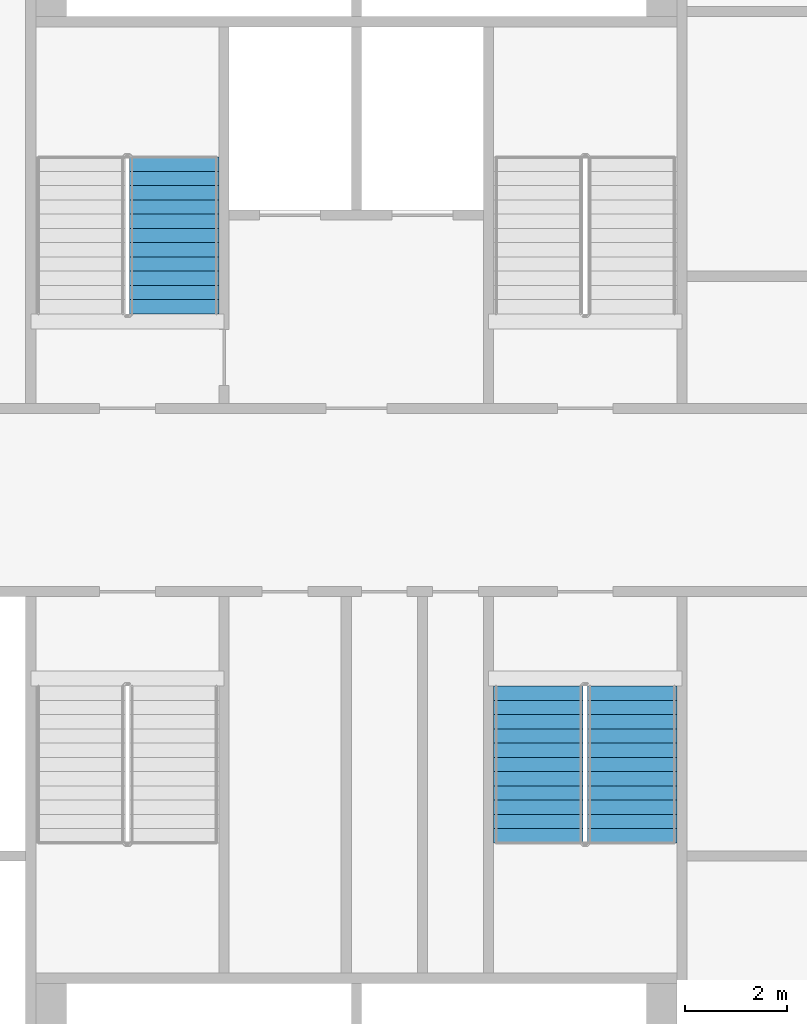
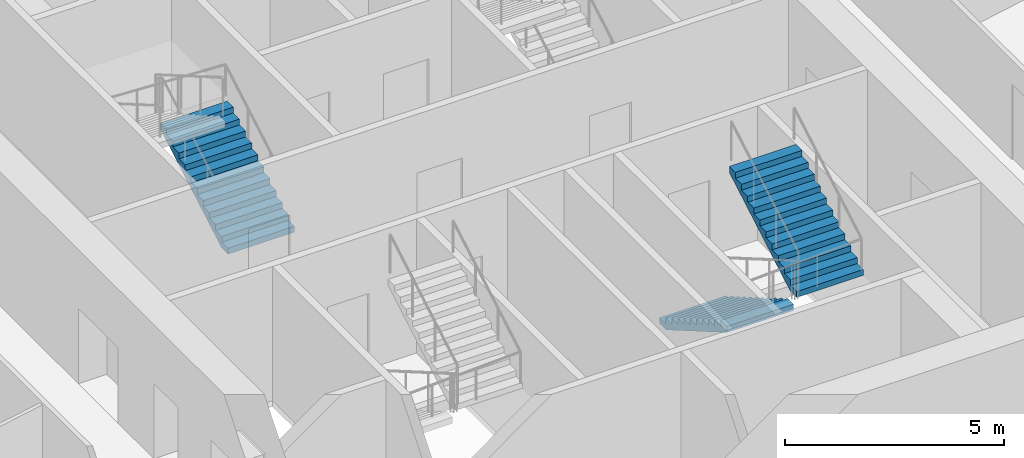
# One storey, part 9 of 16: 3 stair flights, 2 elements without a shape of their own.
"""IFC4 building model written with IfcOpenShell, lengths in metres."""

import ifcopenshell
import ifcopenshell.guid

model = None  # the IFC model being written
_history = None  # IfcOwnerHistory: only IFC2X3 demands one
_inside = {}  # id of a spatial element -> (the spatial element, [elements in it])
_under = {}  # id of a project, library or spatial element -> (it, [spatial elements below it])
_declared = {}  # id of a project -> (the project, [libraries it declares])
_typed = {}  # id of a type object -> (the type object, [elements of that type])
_made_of = {}  # id of a material, layer set ... -> (it, [elements and type objects made of it])


def new_model(schema):
    """Start an empty IFC model of exactly this schema.

    Asked for "IFC4X3", IfcOpenShell would pick the latest addendum, in which some entities
    have other attributes; the version numbers below select the first issue.
    IFC2X3 requires an IfcOwnerHistory on every rooted entity: one is made here for all.
    """
    global model, _history
    if schema == "IFC4X3":
        model = ifcopenshell.file(schema_version=(4, 3, 0, 0))
    else:
        model = ifcopenshell.file(schema=schema)
    _inside.clear()
    _under.clear()
    _declared.clear()
    _typed.clear()
    _made_of.clear()
    _history = None
    if model.schema == "IFC2X3":
        org = make("IfcOrganization", Name="unknown")
        user = make(
            "IfcPersonAndOrganization",
            ThePerson=make("IfcPerson", FamilyName="unknown"),
            TheOrganization=org,
        )
        app = make(
            "IfcApplication",
            ApplicationDeveloper=org,
            Version="unknown",
            ApplicationFullName="unknown",
            ApplicationIdentifier="unknown",
        )
        _history = make(
            "IfcOwnerHistory",
            OwningUser=user,
            OwningApplication=app,
            ChangeAction="ADDED",
            CreationDate=0,
        )
    return model


def make(cls, **values):
    """One entity of the class cls with the attributes given. An attribute that is None is left unset."""
    return model.create_entity(
        cls, **{name: value for name, value in values.items() if value is not None}
    )


def rooted(cls, **values):
    """An entity with a GlobalId (a new one), such as an element, a storey or a relation."""
    return make(cls, GlobalId=ifcopenshell.guid.new(), OwnerHistory=_history, **values)


def si_unit(unit_type, name, prefix=None):
    """IfcSIUnit, for example si_unit("LENGTHUNIT", "METRE", prefix="MILLI")."""
    return make("IfcSIUnit", UnitType=unit_type, Prefix=prefix, Name=name)


def assignment(units):
    """IfcUnitAssignment: the units of a project."""
    return None if units is None else make("IfcUnitAssignment", Units=units)


def point(xyz):
    """IfcCartesianPoint."""
    return None if xyz is None else make("IfcCartesianPoint", Coordinates=xyz)


def direction(xyz):
    """IfcDirection."""
    return None if xyz is None else make("IfcDirection", DirectionRatios=xyz)


def frame(location, z_axis=None, x_axis=None):
    """IfcAxis2Placement3D, a coordinate frame: its origin and axes. An axis left out is left unset."""
    return make(
        "IfcAxis2Placement3D",
        Location=point(location),
        Axis=direction(z_axis),
        RefDirection=direction(x_axis),
    )


def origin():
    """The frame at (0, 0, 0) with its axes left unset."""
    return frame((0.0, 0.0, 0.0))


def place(relative_to, where):
    """IfcLocalPlacement: puts the frame where relative to a parent placement (None: the world)."""
    return make(
        "IfcLocalPlacement", PlacementRelTo=relative_to, RelativePlacement=where
    )


def context(
    kind, dimensions, precision=None, world=None, true_north=None, identifier=None
):
    """IfcGeometricRepresentationContext, for example the 3D "Model" context."""
    return make(
        "IfcGeometricRepresentationContext",
        ContextIdentifier=identifier,
        ContextType=kind,
        CoordinateSpaceDimension=dimensions,
        Precision=precision,
        WorldCoordinateSystem=world,
        TrueNorth=true_north,
    )


def subcontext(parent, identifier, kind, view, scale=None):
    """IfcGeometricRepresentationSubContext, for example "Body" below "Model"."""
    return make(
        "IfcGeometricRepresentationSubContext",
        ContextIdentifier=identifier,
        ContextType=kind,
        ParentContext=parent,
        TargetScale=scale,
        TargetView=view,
    )


def project(units=None, contexts=None):
    """IfcProject with its units and contexts."""
    return rooted(
        "IfcProject",
        Name="project",
        RepresentationContexts=contexts,
        UnitsInContext=assignment(units),
    )


def spatial(cls, under=None, at=None, **own):
    """A site, building, storey or space (cls), placed at a placement, below another one or the project."""
    s = rooted(cls, ObjectPlacement=at, **own)
    if under is not None:
        _under.setdefault(under.id(), (under, []))[1].append(s)
    return s


def faces_of(points, faces, orient=None, outer=None):
    """IfcFace entities. A face is a list of loops; a loop is a list of indices into points, from 0.

    orient and outer hold one flag for each loop. By default every Orientation is true, the
    first loop of a face is its IfcFaceOuterBound and the others are IfcFaceBound.
    """
    made = []
    for i, loops in enumerate(faces):
        bounds = []
        for j, loop in enumerate(loops):
            is_outer = j == 0 if outer is None else outer[i][j]
            bounds.append(
                make(
                    "IfcFaceOuterBound" if is_outer else "IfcFaceBound",
                    Bound=make("IfcPolyLoop", Polygon=[points[k] for k in loop]),
                    Orientation=True if orient is None else orient[i][j],
                )
            )
        made.append(make("IfcFace", Bounds=bounds))
    return made


def faceted_brep(points, faces, orient=None, outer=None, voids=None):
    """IfcFacetedBrep: a solid bounded by flat faces; with voids (closed shells), ...WithVoids."""
    shared = [point(p) for p in points]
    hull = make("IfcClosedShell", CfsFaces=faces_of(shared, faces, orient, outer))
    if voids is None:
        return make("IfcFacetedBrep", Outer=hull)
    return make(
        "IfcFacetedBrepWithVoids",
        Outer=hull,
        Voids=[
            make(cls, CfsFaces=faces_of(shared, fs, o, b)) for cls, fs, o, b in voids
        ],
    )


def shape(context_of_items, identifier, shape_type, items):
    """IfcShapeRepresentation: the items that make up one representation, for example the "Body"."""
    return make(
        "IfcShapeRepresentation",
        ContextOfItems=context_of_items,
        RepresentationIdentifier=identifier,
        RepresentationType=shape_type,
        Items=items,
    )


def material(Name=None, Category=None):
    """IfcMaterial."""
    return make("IfcMaterial", Name=Name, Category=Category)


def made_of(thing, what):
    """Note that an element or type object is made of a material, layer set ...; save() writes the relation."""
    if what is not None:
        _made_of.setdefault(what.id(), (what, []))[1].append(thing)
    return thing


def type_object(cls, material=None, **own):
    """A type object (cls), such as IfcWallType, which elements share."""
    return made_of(rooted(cls, **own), material)


def element(
    cls,
    number,
    at=None,
    inside=None,
    cuts=None,
    type_object=None,
    material=None,
    context=None,
    identifier="Body",
    shape_type=None,
    held_by="IfcProductDefinitionShape",
    body=None,
    shapes=None,
    **own,
):
    """One element of the class cls, such as IfcWall. Its Tag is "e" and its number.

    at: its placement. inside: the storey or other place that contains it. cuts: it is an
    opening in that element (IfcRelVoidsElement). A single representation is given by context,
    identifier, shape_type and body (its items); several are given by shapes. held_by: the class
    of the entity that holds the representations. save() writes the other relations.
    """
    e = rooted(cls, Tag="e%d" % number, ObjectPlacement=at, **own)
    if body is not None:
        shapes = [shape(context, identifier, shape_type, body)]
    if shapes is not None:
        e.Representation = make(held_by, Representations=shapes)
    if inside is not None:
        _inside.setdefault(inside.id(), (inside, []))[1].append(e)
    if cuts is not None:
        rooted(
            "IfcRelVoidsElement", RelatingBuildingElement=cuts, RelatedOpeningElement=e
        )
    if type_object is not None:
        _typed.setdefault(type_object.id(), (type_object, []))[1].append(e)
    return made_of(e, material)


def aggregate(whole, parts):
    """IfcRelAggregates: a whole, such as a stair, and the parts it consists of."""
    return rooted("IfcRelAggregates", RelatingObject=whole, RelatedObjects=parts)


def save(model, path):
    """Write the relations noted so far, then the file.

    IfcRelAggregates (storeys below a building ...), IfcRelContainedInSpatialStructure (elements
    in a storey), IfcRelDefinesByType, IfcRelAssociatesMaterial and IfcRelDeclares: one each for
    every whole, place, type object, material and project.
    """
    for whole, parts in _under.values():
        aggregate(whole, parts)
    for where, things in _inside.values():
        rooted(
            "IfcRelContainedInSpatialStructure",
            RelatedElements=things,
            RelatingStructure=where,
        )
    for kind, things in _typed.values():
        rooted("IfcRelDefinesByType", RelatedObjects=things, RelatingType=kind)
    for what, things in _made_of.values():
        rooted("IfcRelAssociatesMaterial", RelatedObjects=things, RelatingMaterial=what)
    for by, libraries in _declared.values():
        rooted("IfcRelDeclares", RelatingContext=by, RelatedDefinitions=libraries)
    model.write(path)


model = new_model("IFC4")

# Units and contexts
model_context = context("Model", 3, precision=1e-05, world=origin(), true_north=direction((0.0, 1.0)))
body_context = subcontext(model_context, "Body", "Model", "MODEL_VIEW")
ifc_project = project(units=[si_unit("LENGTHUNIT", "METRE"), si_unit("AREAUNIT", "SQUARE_METRE"), si_unit("VOLUMEUNIT", "CUBIC_METRE"), si_unit("PLANEANGLEUNIT", "RADIAN"), si_unit("MASSUNIT", "GRAM", prefix="KILO")], contexts=[model_context])

# Site, building, storey
site_placement = place(None, origin())
site = spatial("IfcSite", under=ifc_project, at=site_placement, CompositionType="ELEMENT")
building_placement = place(site_placement, origin())
building = spatial("IfcBuilding", under=site, at=building_placement, Name="Tarsis Ring Headquarters", CompositionType="ELEMENT")
storey_placement = place(building_placement, frame((0.0, 0.0, 104.5)))
storey = spatial("IfcBuildingStorey", under=building, at=storey_placement, Name="L23", CompositionType="ELEMENT", Elevation=104.5)

# Stair, stair flight
ifc_material_1 = material(Name="Core stair 1760")
stair_type = type_object("IfcStairType", Name="Core stair 1760", PredefinedType="HALF_TURN_STAIR", material=ifc_material_1)
stair_1_placement = place(storey_placement, origin())
stair_1 = element("IfcStair", 1, at=stair_1_placement, inside=storey, type_object=stair_type, Name="L23 Firefighting stair", PredefinedType="HALF_TURN_STAIR")
ifc_material_2 = material(Name="Concrete C40/50", Category="concrete")
stair_flight_type = type_object("IfcStairFlightType", Name="Core stair flight 1760", PredefinedType="STRAIGHT", material=ifc_material_2)
stair_flight_1_placement = place(storey_placement, frame((-3.580078125, 3.659912109375, 0.0), z_axis=(0.0, 0.0, 1.0), x_axis=(0.0, 1.0, 0.0)))
stair_flight_1 = element("IfcStairFlight", 2, at=stair_flight_1_placement, type_object=stair_flight_type, Name="Stair ST1 flight 1", NumberOfRisers=12, NumberOfTreads=11, PredefinedType="STRAIGHT", RiserHeight=0.1625, TreadLength=0.28, context=body_context, shape_type="Brep", body=[
    faceted_brep([(0.0, 0.8798828125, 0.0), (0.0, 0.8798828125, 0.16259765625), (0.280029296875, 0.8798828125, 0.16259765625), (0.280029296875, 0.8798828125, 0.324951171875), (0.56005859375, 0.8798828125, 0.324951171875), (0.56005859375, 0.8798828125, 0.487548828125), (0.840087890625, 0.8798828125, 0.487548828125), (0.840087890625, 0.8798828125, 0.64990234375), (1.1201171875, 0.8798828125, 0.64990234375), (1.1201171875, 0.8798828125, 0.8125), (1.39990234375, 0.8798828125, 0.8125), (1.39990234375, 0.8798828125, 0.97509765625), (1.679931640625, 0.8798828125, 0.97509765625), (1.679931640625, 0.8798828125, 1.137451171875), (1.9599609375, 0.8798828125, 1.137451171875), (1.9599609375, 0.8798828125, 1.300048828125), (2.239990234375, 0.8798828125, 1.300048828125), (2.239990234375, 0.8798828125, 1.46240234375), (2.52001953125, 0.8798828125, 1.46240234375), (2.52001953125, 0.8798828125, 1.625), (2.800048828125, 0.8798828125, 1.625), (2.800048828125, 0.8798828125, 1.78759765625), (3.080078125, 0.8798828125, 1.78759765625), (3.080078125, 0.8798828125, 1.6142578125), (0.298583984375, 0.8798828125, 0.0), (0.298583984375, -0.8798828125, 0.0), (3.080078125, -0.8798828125, 1.6142578125), (3.080078125, -0.8798828125, 1.78759765625), (2.800048828125, -0.8798828125, 1.78759765625), (2.800048828125, -0.8798828125, 1.625), (2.52001953125, -0.8798828125, 1.625), (2.52001953125, -0.8798828125, 1.46240234375), (2.239990234375, -0.8798828125, 1.46240234375), (2.239990234375, -0.8798828125, 1.300048828125), (1.9599609375, -0.8798828125, 1.300048828125), (1.9599609375, -0.8798828125, 1.137451171875), (1.679931640625, -0.8798828125, 1.137451171875), (1.679931640625, -0.8798828125, 0.97509765625), (1.39990234375, -0.8798828125, 0.97509765625), (1.39990234375, -0.8798828125, 0.8125), (1.1201171875, -0.8798828125, 0.8125), (1.1201171875, -0.8798828125, 0.64990234375), (0.840087890625, -0.8798828125, 0.64990234375), (0.840087890625, -0.8798828125, 0.487548828125), (0.56005859375, -0.8798828125, 0.487548828125), (0.56005859375, -0.8798828125, 0.324951171875), (0.280029296875, -0.8798828125, 0.324951171875), (0.280029296875, -0.8798828125, 0.16259765625), (0.0, -0.8798828125, 0.16259765625), (0.0, -0.8798828125, 0.0), (0.0, -0.43994140625, 0.16259765625), (0.0, -0.43994140625, 0.0), (0.0, 0.0, 0.16259765625), (0.0, 0.0, 0.0), (0.0, 0.43994140625, 0.16259765625), (0.0, 0.43994140625, 0.0), (0.280029296875, -0.43994140625, 0.16259765625), (0.280029296875, 0.0, 0.16259765625), (0.280029296875, 0.43994140625, 0.16259765625), (0.280029296875, -0.43994140625, 0.324951171875), (0.280029296875, 0.0, 0.324951171875), (0.280029296875, 0.43994140625, 0.324951171875), (0.56005859375, -0.43994140625, 0.324951171875), (0.56005859375, 0.0, 0.324951171875), (0.56005859375, 0.43994140625, 0.324951171875), (0.56005859375, -0.43994140625, 0.487548828125), (0.56005859375, 0.0, 0.487548828125), (0.56005859375, 0.43994140625, 0.487548828125), (0.840087890625, -0.43994140625, 0.487548828125), (0.840087890625, 0.0, 0.487548828125), (0.840087890625, 0.43994140625, 0.487548828125), (0.840087890625, -0.43994140625, 0.64990234375), (0.840087890625, 0.0, 0.64990234375), (0.840087890625, 0.43994140625, 0.64990234375), (1.1201171875, -0.43994140625, 0.64990234375), (1.1201171875, 0.0, 0.64990234375), (1.1201171875, 0.43994140625, 0.64990234375), (1.1201171875, -0.43994140625, 0.8125), (1.1201171875, 0.0, 0.8125), (1.1201171875, 0.43994140625, 0.8125), (1.39990234375, -0.43994140625, 0.8125), (1.39990234375, 0.0, 0.8125), (1.39990234375, 0.43994140625, 0.8125), (1.39990234375, -0.43994140625, 0.97509765625), (1.39990234375, 0.0, 0.97509765625), (1.39990234375, 0.43994140625, 0.97509765625), (1.679931640625, -0.43994140625, 0.97509765625), (1.679931640625, 0.0, 0.97509765625), (1.679931640625, 0.43994140625, 0.97509765625), (1.679931640625, -0.43994140625, 1.137451171875), (1.679931640625, 0.0, 1.137451171875), (1.679931640625, 0.43994140625, 1.137451171875), (1.9599609375, -0.43994140625, 1.137451171875), (1.9599609375, 0.0, 1.137451171875), (1.9599609375, 0.43994140625, 1.137451171875), (1.9599609375, -0.43994140625, 1.300048828125), (1.9599609375, 0.0, 1.300048828125), (1.9599609375, 0.43994140625, 1.300048828125), (2.239990234375, -0.43994140625, 1.300048828125), (2.239990234375, 0.0, 1.300048828125), (2.239990234375, 0.43994140625, 1.300048828125), (2.239990234375, -0.43994140625, 1.46240234375), (2.239990234375, 0.0, 1.46240234375), (2.239990234375, 0.43994140625, 1.46240234375), (2.52001953125, -0.43994140625, 1.46240234375), (2.52001953125, 0.0, 1.46240234375), (2.52001953125, 0.43994140625, 1.46240234375), (2.52001953125, -0.43994140625, 1.625), (2.52001953125, 0.0, 1.625), (2.52001953125, 0.43994140625, 1.625), (2.800048828125, -0.43994140625, 1.625), (2.800048828125, 0.0, 1.625), (2.800048828125, 0.43994140625, 1.625), (2.800048828125, -0.43994140625, 1.78759765625), (2.800048828125, 0.0, 1.78759765625), (2.800048828125, 0.43994140625, 1.78759765625), (3.080078125, -0.43994140625, 1.78759765625), (3.080078125, 0.0, 1.78759765625), (3.080078125, 0.43994140625, 1.78759765625), (3.080078125, -0.43994140625, 1.6142578125), (3.080078125, 0.0, 1.6142578125), (3.080078125, 0.43994140625, 1.6142578125), (0.298583984375, -0.43994140625, 0.0), (0.298583984375, 0.0, 0.0), (0.298583984375, 0.43994140625, 0.0)], [[[0, 1, 2, 3, 4, 5, 6, 7, 8, 9, 10, 11, 12, 13, 14, 15, 16, 17, 18, 19, 20, 21, 22, 23, 24]], [[25, 26, 27, 28, 29, 30, 31, 32, 33, 34, 35, 36, 37, 38, 39, 40, 41, 42, 43, 44, 45, 46, 47, 48, 49]], [[49, 48, 50, 51]], [[51, 50, 52, 53]], [[53, 52, 54, 55]], [[55, 54, 1, 0]], [[48, 47, 56, 50]], [[50, 56, 57, 52]], [[52, 57, 58, 54]], [[54, 58, 2, 1]], [[47, 46, 59, 56]], [[56, 59, 60, 57]], [[57, 60, 61, 58]], [[58, 61, 3, 2]], [[46, 45, 62, 59]], [[59, 62, 63, 60]], [[60, 63, 64, 61]], [[61, 64, 4, 3]], [[45, 44, 65, 62]], [[62, 65, 66, 63]], [[63, 66, 67, 64]], [[64, 67, 5, 4]], [[44, 43, 68, 65]], [[65, 68, 69, 66]], [[66, 69, 70, 67]], [[67, 70, 6, 5]], [[43, 42, 71, 68]], [[68, 71, 72, 69]], [[69, 72, 73, 70]], [[70, 73, 7, 6]], [[42, 41, 74, 71]], [[71, 74, 75, 72]], [[72, 75, 76, 73]], [[73, 76, 8, 7]], [[41, 40, 77, 74]], [[74, 77, 78, 75]], [[75, 78, 79, 76]], [[76, 79, 9, 8]], [[40, 39, 80, 77]], [[77, 80, 81, 78]], [[78, 81, 82, 79]], [[79, 82, 10, 9]], [[39, 38, 83, 80]], [[80, 83, 84, 81]], [[81, 84, 85, 82]], [[82, 85, 11, 10]], [[38, 37, 86, 83]], [[83, 86, 87, 84]], [[84, 87, 88, 85]], [[85, 88, 12, 11]], [[37, 36, 89, 86]], [[86, 89, 90, 87]], [[87, 90, 91, 88]], [[88, 91, 13, 12]], [[36, 35, 92, 89]], [[89, 92, 93, 90]], [[90, 93, 94, 91]], [[91, 94, 14, 13]], [[35, 34, 95, 92]], [[92, 95, 96, 93]], [[93, 96, 97, 94]], [[94, 97, 15, 14]], [[34, 33, 98, 95]], [[95, 98, 99, 96]], [[96, 99, 100, 97]], [[97, 100, 16, 15]], [[33, 32, 101, 98]], [[98, 101, 102, 99]], [[99, 102, 103, 100]], [[100, 103, 17, 16]], [[32, 31, 104, 101]], [[101, 104, 105, 102]], [[102, 105, 106, 103]], [[103, 106, 18, 17]], [[31, 30, 107, 104]], [[104, 107, 108, 105]], [[105, 108, 109, 106]], [[106, 109, 19, 18]], [[30, 29, 110, 107]], [[107, 110, 111, 108]], [[108, 111, 112, 109]], [[109, 112, 20, 19]], [[29, 28, 113, 110]], [[110, 113, 114, 111]], [[111, 114, 115, 112]], [[112, 115, 21, 20]], [[28, 27, 116, 113]], [[113, 116, 117, 114]], [[114, 117, 118, 115]], [[115, 118, 22, 21]], [[27, 26, 119, 116]], [[116, 119, 120, 117]], [[117, 120, 121, 118]], [[118, 121, 23, 22]], [[26, 25, 122, 119]], [[119, 122, 123, 120]], [[120, 123, 124, 121]], [[121, 124, 24, 23]], [[25, 49, 51, 122]], [[122, 51, 53, 123]], [[123, 53, 55, 124]], [[124, 55, 0, 24]]]),
])
aggregate(stair_1, [stair_flight_1])

# Stair, stair flights
stair_2_placement = place(storey_placement, origin())
stair_2 = element("IfcStair", 3, at=stair_2_placement, inside=storey, type_object=stair_type, Name="L23 Exit stair D", PredefinedType="HALF_TURN_STAIR")
stair_flight_2_placement = place(storey_placement, frame((3.580078125, -3.659912109375, 0.0), z_axis=(0.0, 0.0, 1.0), x_axis=(0.0, -1.0, 0.0)))
stair_flight_2 = element("IfcStairFlight", 4, at=stair_flight_2_placement, type_object=stair_flight_type, Name="Stair ST4 flight 1", NumberOfRisers=12, NumberOfTreads=11, PredefinedType="STRAIGHT", RiserHeight=0.1625, TreadLength=0.28, context=body_context, shape_type="Brep", body=[
    faceted_brep([(0.0, 0.8798828125, 0.0), (0.0, 0.8798828125, 0.16259765625), (0.280029296875, 0.8798828125, 0.16259765625), (0.280029296875, 0.8798828125, 0.324951171875), (0.56005859375, 0.8798828125, 0.324951171875), (0.56005859375, 0.8798828125, 0.487548828125), (0.840087890625, 0.8798828125, 0.487548828125), (0.840087890625, 0.8798828125, 0.64990234375), (1.1201171875, 0.8798828125, 0.64990234375), (1.1201171875, 0.8798828125, 0.8125), (1.39990234375, 0.8798828125, 0.8125), (1.39990234375, 0.8798828125, 0.97509765625), (1.679931640625, 0.8798828125, 0.97509765625), (1.679931640625, 0.8798828125, 1.137451171875), (1.9599609375, 0.8798828125, 1.137451171875), (1.9599609375, 0.8798828125, 1.300048828125), (2.239990234375, 0.8798828125, 1.300048828125), (2.239990234375, 0.8798828125, 1.46240234375), (2.52001953125, 0.8798828125, 1.46240234375), (2.52001953125, 0.8798828125, 1.625), (2.800048828125, 0.8798828125, 1.625), (2.800048828125, 0.8798828125, 1.78759765625), (3.080078125, 0.8798828125, 1.78759765625), (3.080078125, 0.8798828125, 1.6142578125), (0.298583984375, 0.8798828125, 0.0), (0.298583984375, -0.8798828125, 0.0), (3.080078125, -0.8798828125, 1.6142578125), (3.080078125, -0.8798828125, 1.78759765625), (2.800048828125, -0.8798828125, 1.78759765625), (2.800048828125, -0.8798828125, 1.625), (2.52001953125, -0.8798828125, 1.625), (2.52001953125, -0.8798828125, 1.46240234375), (2.239990234375, -0.8798828125, 1.46240234375), (2.239990234375, -0.8798828125, 1.300048828125), (1.9599609375, -0.8798828125, 1.300048828125), (1.9599609375, -0.8798828125, 1.137451171875), (1.679931640625, -0.8798828125, 1.137451171875), (1.679931640625, -0.8798828125, 0.97509765625), (1.39990234375, -0.8798828125, 0.97509765625), (1.39990234375, -0.8798828125, 0.8125), (1.1201171875, -0.8798828125, 0.8125), (1.1201171875, -0.8798828125, 0.64990234375), (0.840087890625, -0.8798828125, 0.64990234375), (0.840087890625, -0.8798828125, 0.487548828125), (0.56005859375, -0.8798828125, 0.487548828125), (0.56005859375, -0.8798828125, 0.324951171875), (0.280029296875, -0.8798828125, 0.324951171875), (0.280029296875, -0.8798828125, 0.16259765625), (0.0, -0.8798828125, 0.16259765625), (0.0, -0.8798828125, 0.0), (0.0, -0.43994140625, 0.16259765625), (0.0, -0.43994140625, 0.0), (0.0, 0.0, 0.16259765625), (0.0, 0.0, 0.0), (0.0, 0.43994140625, 0.16259765625), (0.0, 0.43994140625, 0.0), (0.280029296875, -0.43994140625, 0.16259765625), (0.280029296875, 0.0, 0.16259765625), (0.280029296875, 0.43994140625, 0.16259765625), (0.280029296875, -0.43994140625, 0.324951171875), (0.280029296875, 0.0, 0.324951171875), (0.280029296875, 0.43994140625, 0.324951171875), (0.56005859375, -0.43994140625, 0.324951171875), (0.56005859375, 0.0, 0.324951171875), (0.56005859375, 0.43994140625, 0.324951171875), (0.56005859375, -0.43994140625, 0.487548828125), (0.56005859375, 0.0, 0.487548828125), (0.56005859375, 0.43994140625, 0.487548828125), (0.840087890625, -0.43994140625, 0.487548828125), (0.840087890625, 0.0, 0.487548828125), (0.840087890625, 0.43994140625, 0.487548828125), (0.840087890625, -0.43994140625, 0.64990234375), (0.840087890625, 0.0, 0.64990234375), (0.840087890625, 0.43994140625, 0.64990234375), (1.1201171875, -0.43994140625, 0.64990234375), (1.1201171875, 0.0, 0.64990234375), (1.1201171875, 0.43994140625, 0.64990234375), (1.1201171875, -0.43994140625, 0.8125), (1.1201171875, 0.0, 0.8125), (1.1201171875, 0.43994140625, 0.8125), (1.39990234375, -0.43994140625, 0.8125), (1.39990234375, 0.0, 0.8125), (1.39990234375, 0.43994140625, 0.8125), (1.39990234375, -0.43994140625, 0.97509765625), (1.39990234375, 0.0, 0.97509765625), (1.39990234375, 0.43994140625, 0.97509765625), (1.679931640625, -0.43994140625, 0.97509765625), (1.679931640625, 0.0, 0.97509765625), (1.679931640625, 0.43994140625, 0.97509765625), (1.679931640625, -0.43994140625, 1.137451171875), (1.679931640625, 0.0, 1.137451171875), (1.679931640625, 0.43994140625, 1.137451171875), (1.9599609375, -0.43994140625, 1.137451171875), (1.9599609375, 0.0, 1.137451171875), (1.9599609375, 0.43994140625, 1.137451171875), (1.9599609375, -0.43994140625, 1.300048828125), (1.9599609375, 0.0, 1.300048828125), (1.9599609375, 0.43994140625, 1.300048828125), (2.239990234375, -0.43994140625, 1.300048828125), (2.239990234375, 0.0, 1.300048828125), (2.239990234375, 0.43994140625, 1.300048828125), (2.239990234375, -0.43994140625, 1.46240234375), (2.239990234375, 0.0, 1.46240234375), (2.239990234375, 0.43994140625, 1.46240234375), (2.52001953125, -0.43994140625, 1.46240234375), (2.52001953125, 0.0, 1.46240234375), (2.52001953125, 0.43994140625, 1.46240234375), (2.52001953125, -0.43994140625, 1.625), (2.52001953125, 0.0, 1.625), (2.52001953125, 0.43994140625, 1.625), (2.800048828125, -0.43994140625, 1.625), (2.800048828125, 0.0, 1.625), (2.800048828125, 0.43994140625, 1.625), (2.800048828125, -0.43994140625, 1.78759765625), (2.800048828125, 0.0, 1.78759765625), (2.800048828125, 0.43994140625, 1.78759765625), (3.080078125, -0.43994140625, 1.78759765625), (3.080078125, 0.0, 1.78759765625), (3.080078125, 0.43994140625, 1.78759765625), (3.080078125, -0.43994140625, 1.6142578125), (3.080078125, 0.0, 1.6142578125), (3.080078125, 0.43994140625, 1.6142578125), (0.298583984375, -0.43994140625, 0.0), (0.298583984375, 0.0, 0.0), (0.298583984375, 0.43994140625, 0.0)], [[[0, 1, 2, 3, 4, 5, 6, 7, 8, 9, 10, 11, 12, 13, 14, 15, 16, 17, 18, 19, 20, 21, 22, 23, 24]], [[25, 26, 27, 28, 29, 30, 31, 32, 33, 34, 35, 36, 37, 38, 39, 40, 41, 42, 43, 44, 45, 46, 47, 48, 49]], [[49, 48, 50, 51]], [[51, 50, 52, 53]], [[53, 52, 54, 55]], [[55, 54, 1, 0]], [[48, 47, 56, 50]], [[50, 56, 57, 52]], [[52, 57, 58, 54]], [[54, 58, 2, 1]], [[47, 46, 59, 56]], [[56, 59, 60, 57]], [[57, 60, 61, 58]], [[58, 61, 3, 2]], [[46, 45, 62, 59]], [[59, 62, 63, 60]], [[60, 63, 64, 61]], [[61, 64, 4, 3]], [[45, 44, 65, 62]], [[62, 65, 66, 63]], [[63, 66, 67, 64]], [[64, 67, 5, 4]], [[44, 43, 68, 65]], [[65, 68, 69, 66]], [[66, 69, 70, 67]], [[67, 70, 6, 5]], [[43, 42, 71, 68]], [[68, 71, 72, 69]], [[69, 72, 73, 70]], [[70, 73, 7, 6]], [[42, 41, 74, 71]], [[71, 74, 75, 72]], [[72, 75, 76, 73]], [[73, 76, 8, 7]], [[41, 40, 77, 74]], [[74, 77, 78, 75]], [[75, 78, 79, 76]], [[76, 79, 9, 8]], [[40, 39, 80, 77]], [[77, 80, 81, 78]], [[78, 81, 82, 79]], [[79, 82, 10, 9]], [[39, 38, 83, 80]], [[80, 83, 84, 81]], [[81, 84, 85, 82]], [[82, 85, 11, 10]], [[38, 37, 86, 83]], [[83, 86, 87, 84]], [[84, 87, 88, 85]], [[85, 88, 12, 11]], [[37, 36, 89, 86]], [[86, 89, 90, 87]], [[87, 90, 91, 88]], [[88, 91, 13, 12]], [[36, 35, 92, 89]], [[89, 92, 93, 90]], [[90, 93, 94, 91]], [[91, 94, 14, 13]], [[35, 34, 95, 92]], [[92, 95, 96, 93]], [[93, 96, 97, 94]], [[94, 97, 15, 14]], [[34, 33, 98, 95]], [[95, 98, 99, 96]], [[96, 99, 100, 97]], [[97, 100, 16, 15]], [[33, 32, 101, 98]], [[98, 101, 102, 99]], [[99, 102, 103, 100]], [[100, 103, 17, 16]], [[32, 31, 104, 101]], [[101, 104, 105, 102]], [[102, 105, 106, 103]], [[103, 106, 18, 17]], [[31, 30, 107, 104]], [[104, 107, 108, 105]], [[105, 108, 109, 106]], [[106, 109, 19, 18]], [[30, 29, 110, 107]], [[107, 110, 111, 108]], [[108, 111, 112, 109]], [[109, 112, 20, 19]], [[29, 28, 113, 110]], [[110, 113, 114, 111]], [[111, 114, 115, 112]], [[112, 115, 21, 20]], [[28, 27, 116, 113]], [[113, 116, 117, 114]], [[114, 117, 118, 115]], [[115, 118, 22, 21]], [[27, 26, 119, 116]], [[116, 119, 120, 117]], [[117, 120, 121, 118]], [[118, 121, 23, 22]], [[26, 25, 122, 119]], [[119, 122, 123, 120]], [[120, 123, 124, 121]], [[121, 124, 24, 23]], [[25, 49, 51, 122]], [[122, 51, 53, 123]], [[123, 53, 55, 124]], [[124, 55, 0, 24]]]),
])
stair_flight_3_placement = place(storey_placement, frame((5.419921875, -6.739990234375, 1.949951171875), z_axis=(0.0, 0.0, 1.0), x_axis=(0.0, 1.0, 0.0)))
stair_flight_3 = element("IfcStairFlight", 5, at=stair_flight_3_placement, type_object=stair_flight_type, Name="Stair ST4 flight 2", NumberOfRisers=12, NumberOfTreads=11, PredefinedType="STRAIGHT", RiserHeight=0.1625, TreadLength=0.28, context=body_context, shape_type="Brep", body=[
    faceted_brep([(0.0, 0.8798828125, 0.0), (0.0, 0.8798828125, 0.16259765625), (0.280029296875, 0.8798828125, 0.16259765625), (0.280029296875, 0.8798828125, 0.324951171875), (0.56005859375, 0.8798828125, 0.324951171875), (0.56005859375, 0.8798828125, 0.487548828125), (0.840087890625, 0.8798828125, 0.487548828125), (0.840087890625, 0.8798828125, 0.64990234375), (1.1201171875, 0.8798828125, 0.64990234375), (1.1201171875, 0.8798828125, 0.8125), (1.39990234375, 0.8798828125, 0.8125), (1.39990234375, 0.8798828125, 0.97509765625), (1.679931640625, 0.8798828125, 0.97509765625), (1.679931640625, 0.8798828125, 1.137451171875), (1.9599609375, 0.8798828125, 1.137451171875), (1.9599609375, 0.8798828125, 1.300048828125), (2.239990234375, 0.8798828125, 1.300048828125), (2.239990234375, 0.8798828125, 1.46240234375), (2.52001953125, 0.8798828125, 1.46240234375), (2.52001953125, 0.8798828125, 1.625), (2.800048828125, 0.8798828125, 1.625), (2.800048828125, 0.8798828125, 1.78759765625), (3.080078125, 0.8798828125, 1.78759765625), (3.080078125, 0.8798828125, 1.6142578125), (0.298583984375, 0.8798828125, 0.0), (0.298583984375, -0.8798828125, 0.0), (3.080078125, -0.8798828125, 1.6142578125), (3.080078125, -0.8798828125, 1.78759765625), (2.800048828125, -0.8798828125, 1.78759765625), (2.800048828125, -0.8798828125, 1.625), (2.52001953125, -0.8798828125, 1.625), (2.52001953125, -0.8798828125, 1.46240234375), (2.239990234375, -0.8798828125, 1.46240234375), (2.239990234375, -0.8798828125, 1.300048828125), (1.9599609375, -0.8798828125, 1.300048828125), (1.9599609375, -0.8798828125, 1.137451171875), (1.679931640625, -0.8798828125, 1.137451171875), (1.679931640625, -0.8798828125, 0.97509765625), (1.39990234375, -0.8798828125, 0.97509765625), (1.39990234375, -0.8798828125, 0.8125), (1.1201171875, -0.8798828125, 0.8125), (1.1201171875, -0.8798828125, 0.64990234375), (0.840087890625, -0.8798828125, 0.64990234375), (0.840087890625, -0.8798828125, 0.487548828125), (0.56005859375, -0.8798828125, 0.487548828125), (0.56005859375, -0.8798828125, 0.324951171875), (0.280029296875, -0.8798828125, 0.324951171875), (0.280029296875, -0.8798828125, 0.16259765625), (0.0, -0.8798828125, 0.16259765625), (0.0, -0.8798828125, 0.0), (0.0, -0.43994140625, 0.16259765625), (0.0, -0.43994140625, 0.0), (0.0, 0.0, 0.16259765625), (0.0, 0.0, 0.0), (0.0, 0.43994140625, 0.16259765625), (0.0, 0.43994140625, 0.0), (0.280029296875, -0.43994140625, 0.16259765625), (0.280029296875, 0.0, 0.16259765625), (0.280029296875, 0.43994140625, 0.16259765625), (0.280029296875, -0.43994140625, 0.324951171875), (0.280029296875, 0.0, 0.324951171875), (0.280029296875, 0.43994140625, 0.324951171875), (0.56005859375, -0.43994140625, 0.324951171875), (0.56005859375, 0.0, 0.324951171875), (0.56005859375, 0.43994140625, 0.324951171875), (0.56005859375, -0.43994140625, 0.487548828125), (0.56005859375, 0.0, 0.487548828125), (0.56005859375, 0.43994140625, 0.487548828125), (0.840087890625, -0.43994140625, 0.487548828125), (0.840087890625, 0.0, 0.487548828125), (0.840087890625, 0.43994140625, 0.487548828125), (0.840087890625, -0.43994140625, 0.64990234375), (0.840087890625, 0.0, 0.64990234375), (0.840087890625, 0.43994140625, 0.64990234375), (1.1201171875, -0.43994140625, 0.64990234375), (1.1201171875, 0.0, 0.64990234375), (1.1201171875, 0.43994140625, 0.64990234375), (1.1201171875, -0.43994140625, 0.8125), (1.1201171875, 0.0, 0.8125), (1.1201171875, 0.43994140625, 0.8125), (1.39990234375, -0.43994140625, 0.8125), (1.39990234375, 0.0, 0.8125), (1.39990234375, 0.43994140625, 0.8125), (1.39990234375, -0.43994140625, 0.97509765625), (1.39990234375, 0.0, 0.97509765625), (1.39990234375, 0.43994140625, 0.97509765625), (1.679931640625, -0.43994140625, 0.97509765625), (1.679931640625, 0.0, 0.97509765625), (1.679931640625, 0.43994140625, 0.97509765625), (1.679931640625, -0.43994140625, 1.137451171875), (1.679931640625, 0.0, 1.137451171875), (1.679931640625, 0.43994140625, 1.137451171875), (1.9599609375, -0.43994140625, 1.137451171875), (1.9599609375, 0.0, 1.137451171875), (1.9599609375, 0.43994140625, 1.137451171875), (1.9599609375, -0.43994140625, 1.300048828125), (1.9599609375, 0.0, 1.300048828125), (1.9599609375, 0.43994140625, 1.300048828125), (2.239990234375, -0.43994140625, 1.300048828125), (2.239990234375, 0.0, 1.300048828125), (2.239990234375, 0.43994140625, 1.300048828125), (2.239990234375, -0.43994140625, 1.46240234375), (2.239990234375, 0.0, 1.46240234375), (2.239990234375, 0.43994140625, 1.46240234375), (2.52001953125, -0.43994140625, 1.46240234375), (2.52001953125, 0.0, 1.46240234375), (2.52001953125, 0.43994140625, 1.46240234375), (2.52001953125, -0.43994140625, 1.625), (2.52001953125, 0.0, 1.625), (2.52001953125, 0.43994140625, 1.625), (2.800048828125, -0.43994140625, 1.625), (2.800048828125, 0.0, 1.625), (2.800048828125, 0.43994140625, 1.625), (2.800048828125, -0.43994140625, 1.78759765625), (2.800048828125, 0.0, 1.78759765625), (2.800048828125, 0.43994140625, 1.78759765625), (3.080078125, -0.43994140625, 1.78759765625), (3.080078125, 0.0, 1.78759765625), (3.080078125, 0.43994140625, 1.78759765625), (3.080078125, -0.43994140625, 1.6142578125), (3.080078125, 0.0, 1.6142578125), (3.080078125, 0.43994140625, 1.6142578125), (0.298583984375, -0.43994140625, 0.0), (0.298583984375, 0.0, 0.0), (0.298583984375, 0.43994140625, 0.0)], [[[0, 1, 2, 3, 4, 5, 6, 7, 8, 9, 10, 11, 12, 13, 14, 15, 16, 17, 18, 19, 20, 21, 22, 23, 24]], [[25, 26, 27, 28, 29, 30, 31, 32, 33, 34, 35, 36, 37, 38, 39, 40, 41, 42, 43, 44, 45, 46, 47, 48, 49]], [[49, 48, 50, 51]], [[51, 50, 52, 53]], [[53, 52, 54, 55]], [[55, 54, 1, 0]], [[48, 47, 56, 50]], [[50, 56, 57, 52]], [[52, 57, 58, 54]], [[54, 58, 2, 1]], [[47, 46, 59, 56]], [[56, 59, 60, 57]], [[57, 60, 61, 58]], [[58, 61, 3, 2]], [[46, 45, 62, 59]], [[59, 62, 63, 60]], [[60, 63, 64, 61]], [[61, 64, 4, 3]], [[45, 44, 65, 62]], [[62, 65, 66, 63]], [[63, 66, 67, 64]], [[64, 67, 5, 4]], [[44, 43, 68, 65]], [[65, 68, 69, 66]], [[66, 69, 70, 67]], [[67, 70, 6, 5]], [[43, 42, 71, 68]], [[68, 71, 72, 69]], [[69, 72, 73, 70]], [[70, 73, 7, 6]], [[42, 41, 74, 71]], [[71, 74, 75, 72]], [[72, 75, 76, 73]], [[73, 76, 8, 7]], [[41, 40, 77, 74]], [[74, 77, 78, 75]], [[75, 78, 79, 76]], [[76, 79, 9, 8]], [[40, 39, 80, 77]], [[77, 80, 81, 78]], [[78, 81, 82, 79]], [[79, 82, 10, 9]], [[39, 38, 83, 80]], [[80, 83, 84, 81]], [[81, 84, 85, 82]], [[82, 85, 11, 10]], [[38, 37, 86, 83]], [[83, 86, 87, 84]], [[84, 87, 88, 85]], [[85, 88, 12, 11]], [[37, 36, 89, 86]], [[86, 89, 90, 87]], [[87, 90, 91, 88]], [[88, 91, 13, 12]], [[36, 35, 92, 89]], [[89, 92, 93, 90]], [[90, 93, 94, 91]], [[91, 94, 14, 13]], [[35, 34, 95, 92]], [[92, 95, 96, 93]], [[93, 96, 97, 94]], [[94, 97, 15, 14]], [[34, 33, 98, 95]], [[95, 98, 99, 96]], [[96, 99, 100, 97]], [[97, 100, 16, 15]], [[33, 32, 101, 98]], [[98, 101, 102, 99]], [[99, 102, 103, 100]], [[100, 103, 17, 16]], [[32, 31, 104, 101]], [[101, 104, 105, 102]], [[102, 105, 106, 103]], [[103, 106, 18, 17]], [[31, 30, 107, 104]], [[104, 107, 108, 105]], [[105, 108, 109, 106]], [[106, 109, 19, 18]], [[30, 29, 110, 107]], [[107, 110, 111, 108]], [[108, 111, 112, 109]], [[109, 112, 20, 19]], [[29, 28, 113, 110]], [[110, 113, 114, 111]], [[111, 114, 115, 112]], [[112, 115, 21, 20]], [[28, 27, 116, 113]], [[113, 116, 117, 114]], [[114, 117, 118, 115]], [[115, 118, 22, 21]], [[27, 26, 119, 116]], [[116, 119, 120, 117]], [[117, 120, 121, 118]], [[118, 121, 23, 22]], [[26, 25, 122, 119]], [[119, 122, 123, 120]], [[120, 123, 124, 121]], [[121, 124, 24, 23]], [[25, 49, 51, 122]], [[122, 51, 53, 123]], [[123, 53, 55, 124]], [[124, 55, 0, 24]]]),
])
aggregate(stair_2, [stair_flight_2, stair_flight_3])

save(model, "model.ifc")
